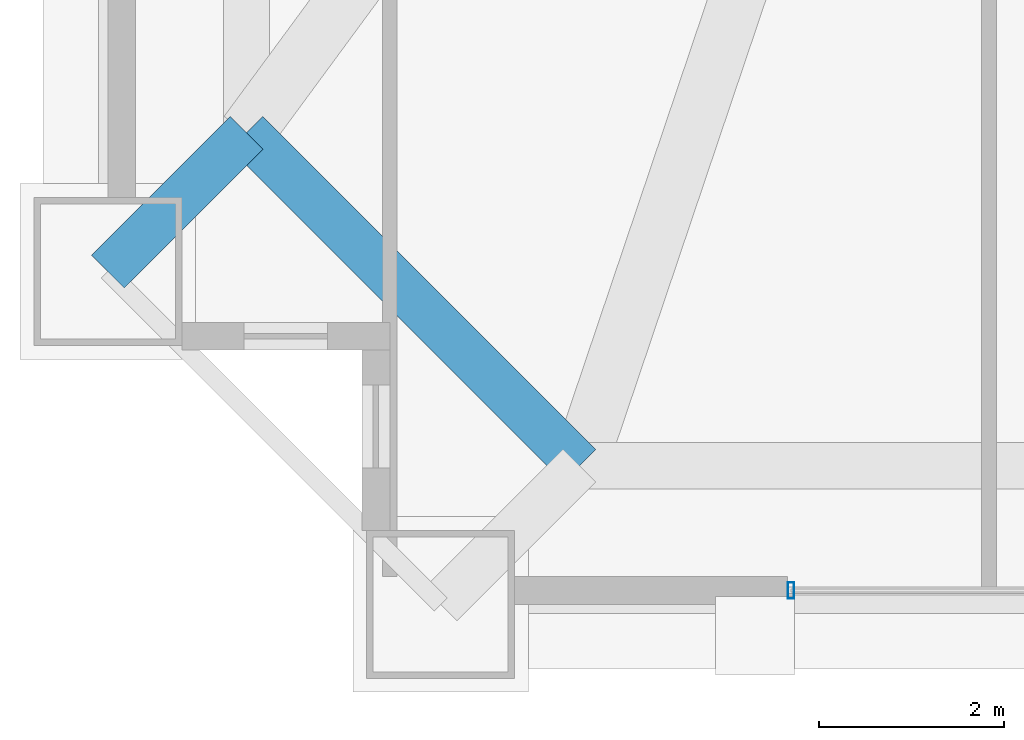
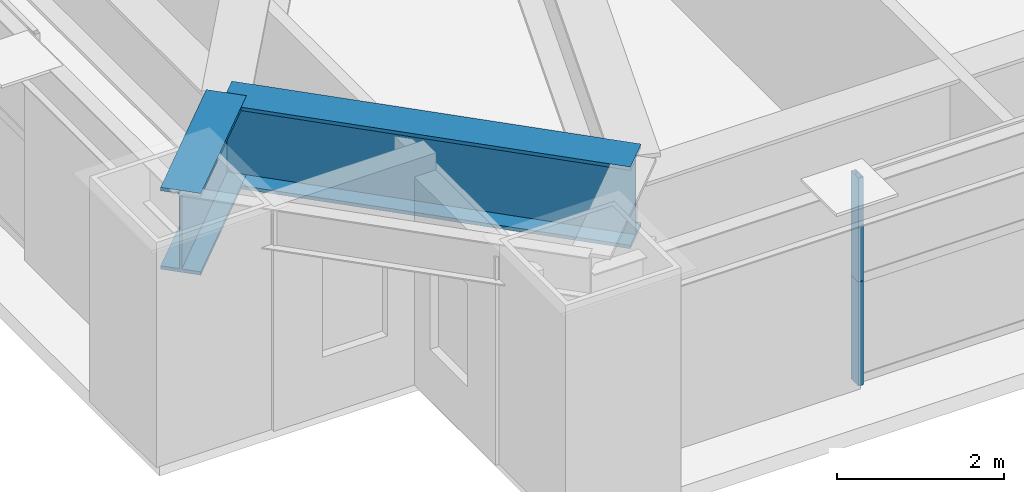
# One storey, part 4 of 45: 2 beams, 2 members, 1 element without a shape of its own.
"""IFC4 building model written with IfcOpenShell, lengths in metres."""

import ifcopenshell
import ifcopenshell.guid

model = None  # the IFC model being written
_history = None  # IfcOwnerHistory: only IFC2X3 demands one
_inside = {}  # id of a spatial element -> (the spatial element, [elements in it])
_under = {}  # id of a project, library or spatial element -> (it, [spatial elements below it])
_declared = {}  # id of a project -> (the project, [libraries it declares])
_typed = {}  # id of a type object -> (the type object, [elements of that type])
_made_of = {}  # id of a material, layer set ... -> (it, [elements and type objects made of it])


def new_model(schema):
    """Start an empty IFC model of exactly this schema.

    Asked for "IFC4X3", IfcOpenShell would pick the latest addendum, in which some entities
    have other attributes; the version numbers below select the first issue.
    IFC2X3 requires an IfcOwnerHistory on every rooted entity: one is made here for all.
    """
    global model, _history
    if schema == "IFC4X3":
        model = ifcopenshell.file(schema_version=(4, 3, 0, 0))
    else:
        model = ifcopenshell.file(schema=schema)
    _inside.clear()
    _under.clear()
    _declared.clear()
    _typed.clear()
    _made_of.clear()
    _history = None
    if model.schema == "IFC2X3":
        org = make("IfcOrganization", Name="unknown")
        user = make(
            "IfcPersonAndOrganization",
            ThePerson=make("IfcPerson", FamilyName="unknown"),
            TheOrganization=org,
        )
        app = make(
            "IfcApplication",
            ApplicationDeveloper=org,
            Version="unknown",
            ApplicationFullName="unknown",
            ApplicationIdentifier="unknown",
        )
        _history = make(
            "IfcOwnerHistory",
            OwningUser=user,
            OwningApplication=app,
            ChangeAction="ADDED",
            CreationDate=0,
        )
    return model


def make(cls, **values):
    """One entity of the class cls with the attributes given. An attribute that is None is left unset."""
    return model.create_entity(
        cls, **{name: value for name, value in values.items() if value is not None}
    )


def rooted(cls, **values):
    """An entity with a GlobalId (a new one), such as an element, a storey or a relation."""
    return make(cls, GlobalId=ifcopenshell.guid.new(), OwnerHistory=_history, **values)


def si_unit(unit_type, name, prefix=None):
    """IfcSIUnit, for example si_unit("LENGTHUNIT", "METRE", prefix="MILLI")."""
    return make("IfcSIUnit", UnitType=unit_type, Prefix=prefix, Name=name)


def assignment(units):
    """IfcUnitAssignment: the units of a project."""
    return None if units is None else make("IfcUnitAssignment", Units=units)


def point(xyz):
    """IfcCartesianPoint."""
    return None if xyz is None else make("IfcCartesianPoint", Coordinates=xyz)


def direction(xyz):
    """IfcDirection."""
    return None if xyz is None else make("IfcDirection", DirectionRatios=xyz)


def frame(location, z_axis=None, x_axis=None):
    """IfcAxis2Placement3D, a coordinate frame: its origin and axes. An axis left out is left unset."""
    return make(
        "IfcAxis2Placement3D",
        Location=point(location),
        Axis=direction(z_axis),
        RefDirection=direction(x_axis),
    )


def frame_2d(location, x_axis=None):
    """IfcAxis2Placement2D, a coordinate frame in the plane: its origin and x axis."""
    return make(
        "IfcAxis2Placement2D", Location=point(location), RefDirection=direction(x_axis)
    )


def origin():
    """The frame at (0, 0, 0) with its axes left unset."""
    return frame((0.0, 0.0, 0.0))


def origin_2d():
    """The frame at (0, 0) in the plane with its x axis left unset."""
    return frame_2d((0.0, 0.0))


def place(relative_to, where):
    """IfcLocalPlacement: puts the frame where relative to a parent placement (None: the world)."""
    return make(
        "IfcLocalPlacement", PlacementRelTo=relative_to, RelativePlacement=where
    )


def context(
    kind, dimensions, precision=None, world=None, true_north=None, identifier=None
):
    """IfcGeometricRepresentationContext, for example the 3D "Model" context."""
    return make(
        "IfcGeometricRepresentationContext",
        ContextIdentifier=identifier,
        ContextType=kind,
        CoordinateSpaceDimension=dimensions,
        Precision=precision,
        WorldCoordinateSystem=world,
        TrueNorth=true_north,
    )


def subcontext(parent, identifier, kind, view, scale=None):
    """IfcGeometricRepresentationSubContext, for example "Body" below "Model"."""
    return make(
        "IfcGeometricRepresentationSubContext",
        ContextIdentifier=identifier,
        ContextType=kind,
        ParentContext=parent,
        TargetScale=scale,
        TargetView=view,
    )


def project(units=None, contexts=None):
    """IfcProject with its units and contexts."""
    return rooted(
        "IfcProject",
        Name="project",
        RepresentationContexts=contexts,
        UnitsInContext=assignment(units),
    )


def spatial(cls, under=None, at=None, **own):
    """A site, building, storey or space (cls), placed at a placement, below another one or the project."""
    s = rooted(cls, ObjectPlacement=at, **own)
    if under is not None:
        _under.setdefault(under.id(), (under, []))[1].append(s)
    return s


def profile(cls, at=None, kind="AREA", **sizes):
    """A parametric profile (cls). Its sizes go by their IFC names, for example OverallWidth=200.0."""
    return make(cls, ProfileType=kind, Position=at, **sizes)


def hollow_rectangle(**sizes):
    """IfcRectangleHollowProfileDef."""
    return profile("IfcRectangleHollowProfileDef", **sizes)


def i_section(**sizes):
    """IfcIShapeProfileDef."""
    return profile("IfcIShapeProfileDef", **sizes)


def extrude(swept, where, along, depth):
    """IfcExtrudedAreaSolid: the profile swept, set in the frame where, extruded along a direction by depth."""
    return make(
        "IfcExtrudedAreaSolid",
        SweptArea=swept,
        Position=where,
        ExtrudedDirection=direction(along),
        Depth=depth,
    )


def shape(context_of_items, identifier, shape_type, items):
    """IfcShapeRepresentation: the items that make up one representation, for example the "Body"."""
    return make(
        "IfcShapeRepresentation",
        ContextOfItems=context_of_items,
        RepresentationIdentifier=identifier,
        RepresentationType=shape_type,
        Items=items,
    )


def source(mapping_origin, context_of_items, identifier, shape_type, items):
    """IfcRepresentationMap: a shape defined once, which mapped items show again and again."""
    return make(
        "IfcRepresentationMap",
        MappingOrigin=mapping_origin,
        MappedRepresentation=shape(context_of_items, identifier, shape_type, items),
    )


def transform(
    local_origin,
    x_axis=None,
    y_axis=None,
    z_axis=None,
    scale=None,
    scale2=None,
    scale3=None,
    uniform=True,
):
    """IfcCartesianTransformationOperator3D, or its non-uniform kind. x_axis, y_axis, z_axis: its Axis1, 2, 3."""
    if uniform:
        return make(
            "IfcCartesianTransformationOperator3D",
            Axis1=direction(x_axis),
            Axis2=direction(y_axis),
            LocalOrigin=point(local_origin),
            Scale=scale,
            Axis3=direction(z_axis),
        )
    return make(
        "IfcCartesianTransformationOperator3DnonUniform",
        Axis1=direction(x_axis),
        Axis2=direction(y_axis),
        LocalOrigin=point(local_origin),
        Scale=scale,
        Axis3=direction(z_axis),
        Scale2=scale2,
        Scale3=scale3,
    )


def mapped(mapping_source, mapping_target):
    """IfcMappedItem: shows the shape of a source again, moved by a transform."""
    return make(
        "IfcMappedItem", MappingSource=mapping_source, MappingTarget=mapping_target
    )


def material(Name=None, Category=None):
    """IfcMaterial."""
    return make("IfcMaterial", Name=Name, Category=Category)


def layer(
    of_material, thickness, ventilated=None, Name=None, Category=None, Priority=None
):
    """IfcMaterialLayer: one layer of a wall or slab, of a material (None: an air gap)."""
    return make(
        "IfcMaterialLayer",
        Material=of_material,
        LayerThickness=thickness,
        IsVentilated=ventilated,
        Name=Name,
        Category=Category,
        Priority=Priority,
    )


def layer_set(layers, Name=None):
    """IfcMaterialLayerSet."""
    return make("IfcMaterialLayerSet", MaterialLayers=layers, LayerSetName=Name)


def material_profile(
    of_material, cross_section, Name=None, Category=None, Priority=None
):
    """IfcMaterialProfile: a cross section and its material."""
    return make(
        "IfcMaterialProfile",
        Name=Name,
        Material=of_material,
        Profile=cross_section,
        Priority=Priority,
        Category=Category,
    )


def profile_set(profiles, Name=None, composite=None):
    """IfcMaterialProfileSet."""
    return make(
        "IfcMaterialProfileSet",
        Name=Name,
        MaterialProfiles=profiles,
        CompositeProfile=composite,
    )


def made_of(thing, what):
    """Note that an element or type object is made of a material, layer set ...; save() writes the relation."""
    if what is not None:
        _made_of.setdefault(what.id(), (what, []))[1].append(thing)
    return thing


def type_object(cls, material=None, **own):
    """A type object (cls), such as IfcWallType, which elements share."""
    return made_of(rooted(cls, **own), material)


def element(
    cls,
    number,
    at=None,
    inside=None,
    cuts=None,
    type_object=None,
    material=None,
    context=None,
    identifier="Body",
    shape_type=None,
    held_by="IfcProductDefinitionShape",
    body=None,
    shapes=None,
    **own,
):
    """One element of the class cls, such as IfcWall. Its Tag is "e" and its number.

    at: its placement. inside: the storey or other place that contains it. cuts: it is an
    opening in that element (IfcRelVoidsElement). A single representation is given by context,
    identifier, shape_type and body (its items); several are given by shapes. held_by: the class
    of the entity that holds the representations. save() writes the other relations.
    """
    e = rooted(cls, Tag="e%d" % number, ObjectPlacement=at, **own)
    if body is not None:
        shapes = [shape(context, identifier, shape_type, body)]
    if shapes is not None:
        e.Representation = make(held_by, Representations=shapes)
    if inside is not None:
        _inside.setdefault(inside.id(), (inside, []))[1].append(e)
    if cuts is not None:
        rooted(
            "IfcRelVoidsElement", RelatingBuildingElement=cuts, RelatedOpeningElement=e
        )
    if type_object is not None:
        _typed.setdefault(type_object.id(), (type_object, []))[1].append(e)
    return made_of(e, material)


def aggregate(whole, parts):
    """IfcRelAggregates: a whole, such as a stair, and the parts it consists of."""
    return rooted("IfcRelAggregates", RelatingObject=whole, RelatedObjects=parts)


def save(model, path):
    """Write the relations noted so far, then the file.

    IfcRelAggregates (storeys below a building ...), IfcRelContainedInSpatialStructure (elements
    in a storey), IfcRelDefinesByType, IfcRelAssociatesMaterial and IfcRelDeclares: one each for
    every whole, place, type object, material and project.
    """
    for whole, parts in _under.values():
        aggregate(whole, parts)
    for where, things in _inside.values():
        rooted(
            "IfcRelContainedInSpatialStructure",
            RelatedElements=things,
            RelatingStructure=where,
        )
    for kind, things in _typed.values():
        rooted("IfcRelDefinesByType", RelatedObjects=things, RelatingType=kind)
    for what, things in _made_of.values():
        rooted("IfcRelAssociatesMaterial", RelatedObjects=things, RelatingMaterial=what)
    for by, libraries in _declared.values():
        rooted("IfcRelDeclares", RelatingContext=by, RelatedDefinitions=libraries)
    model.write(path)


model = new_model("IFC4")

# Units and contexts
model_context = context("Model", 3, precision=1e-05, world=origin(), true_north=direction((0.0, 1.0)))
body_context = subcontext(model_context, "Body", "Model", "MODEL_VIEW")
ifc_project = project(units=[si_unit("LENGTHUNIT", "METRE"), si_unit("AREAUNIT", "SQUARE_METRE"), si_unit("VOLUMEUNIT", "CUBIC_METRE"), si_unit("PLANEANGLEUNIT", "RADIAN"), si_unit("MASSUNIT", "GRAM", prefix="KILO"), si_unit("THERMODYNAMICTEMPERATUREUNIT", "KELVIN"), si_unit("POWERUNIT", "WATT")], contexts=[model_context])

# Site, building, storey
site_placement = place(None, origin())
site = spatial("IfcSite", under=ifc_project, at=site_placement, CompositionType="ELEMENT")
building_placement = place(site_placement, origin())
building = spatial("IfcBuilding", under=site, at=building_placement, Name="Yuzanri Waterfront Tower", CompositionType="ELEMENT")
storey_placement = place(building_placement, frame((0.0, 0.0, 163.199951171875)))
storey = spatial("IfcBuildingStorey", under=building, at=storey_placement, Name="L43", CompositionType="ELEMENT", Elevation=163.199951171875)

# Beams
ifc_material_1 = material(Name="Steel Q420GJC", Category="steel")
ifc_material_profile_1 = material_profile(ifc_material_1, i_section(OverallWidth=0.5, OverallDepth=1.199951171875, WebThickness=0.028076171875, FlangeThickness=0.050048828125, at=origin_2d()), Name="PG 1200x500x28x50")
ifc_profile_set_1 = profile_set([ifc_material_profile_1], Name="Steel Q420GJC")
beam_type = type_object("IfcBeamType", Name="Setback Transfer Girder Q420GJC PG 1200x500", PredefinedType="USERDEFINED", material=ifc_profile_set_1)
shared_shape_1 = source(origin(), body_context, "Body", "SweptSolid", [
    extrude(i_section(OverallWidth=0.5, OverallDepth=1.199951171875, WebThickness=0.028076171875, FlangeThickness=0.050048828125, at=origin_2d()), origin(), (0.0, 0.0, 1.0), 2.121337890625),
])
beam_1_placement = place(storey_placement, frame((14.89990234375, 7.300048828125, 2.699951171875), z_axis=(-0.707106781187, -0.707106781187, 0.0), x_axis=(0.707106781187, -0.707106781187, 0.0)))
element("IfcBeam", 1, at=beam_1_placement, inside=storey, type_object=beam_type, Name="L43 Setback Step Transfer W1", ObjectType="GIRDER", PredefinedType="USERDEFINED", context=body_context, shape_type="MappedRepresentation", body=[
    mapped(shared_shape_1, transform((0.0, 0.0, 0.0), scale=1.0)),
])
shared_shape_2 = source(origin(), body_context, "Body", "SweptSolid", [
    extrude(i_section(OverallWidth=0.5, OverallDepth=1.199951171875, WebThickness=0.028076171875, FlangeThickness=0.050048828125, at=origin_2d()), origin(), (0.0, 0.0, 1.0), 5.09130859375),
])
beam_2_placement = place(storey_placement, frame((14.89990234375, 7.300048828125, 2.699951171875), z_axis=(0.707106781187, -0.707106781187, 0.0), x_axis=(0.707106781187, 0.707106781187, 0.0)))
element("IfcBeam", 2, at=beam_2_placement, inside=storey, type_object=beam_type, Name="L43 Setback Upper Ring W1-S1", ObjectType="GIRDER", PredefinedType="USERDEFINED", context=body_context, shape_type="MappedRepresentation", body=[
    mapped(shared_shape_2, transform((0.0, 0.0, 0.0), scale=1.0)),
])

# Curtain wall, members
ifc_material_2 = material(Name="Anodized Architectural Bronze", Category="metal")
ifc_layer = layer(ifc_material_2, 0.159912109375)
ifc_layer_set = layer_set([ifc_layer], Name="Anodized Architectural Bronze")
curtain_wall_type = type_object("IfcCurtainWallType", Name="Anodized Bronze Hotel Upper-Tier Solar-Control Unitized Curtain Wall 7800", PredefinedType="NOTDEFINED", material=ifc_layer_set)
curtain_wall_placement = place(storey_placement, origin())
curtain_wall = element("IfcCurtainWall", 3, at=curtain_wall_placement, inside=storey, type_object=curtain_wall_type, Name="L43 Curtain Wall CW-L43-SL", PredefinedType="NOTDEFINED")
ifc_material_3 = material(Name="Anodized Architectural Bronze", Category="metal")
ifc_material_profile_2 = material_profile(ifc_material_3, hollow_rectangle(XDim=0.070068359375, YDim=0.179931640625, WallThickness=0.00390625, at=origin_2d()), Name="CWM 70x180")
ifc_profile_set_2 = profile_set([ifc_material_profile_2], Name="Anodized Architectural Bronze")
member_type = type_object("IfcMemberType", Name="Anodized Bronze Standard Curtain-Wall Mullion 70x180", PredefinedType="MULLION", material=ifc_profile_set_2)
shared_shape_3 = source(origin(), body_context, "Body", "SweptSolid", [
    extrude(hollow_rectangle(XDim=0.070068359375, YDim=0.179931640625, WallThickness=0.00390625, at=origin_2d()), origin(), (0.0, 0.0, 1.0), 1.52294921875),
])
member_1_placement = place(storey_placement, frame((20.7900390625, 2.35009765625, 0.0), z_axis=(0.0, 0.0, 1.0), x_axis=(1.0, 0.0, 0.0)))
member_1 = element("IfcMember", 4, at=member_1_placement, type_object=member_type, Name="CW-L43-SL Lower Mullion 00", PredefinedType="MULLION", context=body_context, shape_type="MappedRepresentation", body=[
    mapped(shared_shape_3, transform((0.0, 0.0, 0.0), scale=1.0)),
])
member_2_placement = place(storey_placement, frame((20.7900390625, 2.35009765625, 1.527099609375), z_axis=(0.0, 0.0, 1.0), x_axis=(1.0, 0.0, 0.0)))
member_2 = element("IfcMember", 5, at=member_2_placement, type_object=member_type, Name="CW-L43-SL Upper Mullion 00", PredefinedType="MULLION", context=body_context, shape_type="MappedRepresentation", body=[
    mapped(shared_shape_3, transform((0.0, 0.0, 0.0), scale=1.0)),
])
aggregate(curtain_wall, [member_1, member_2])

save(model, "model.ifc")
